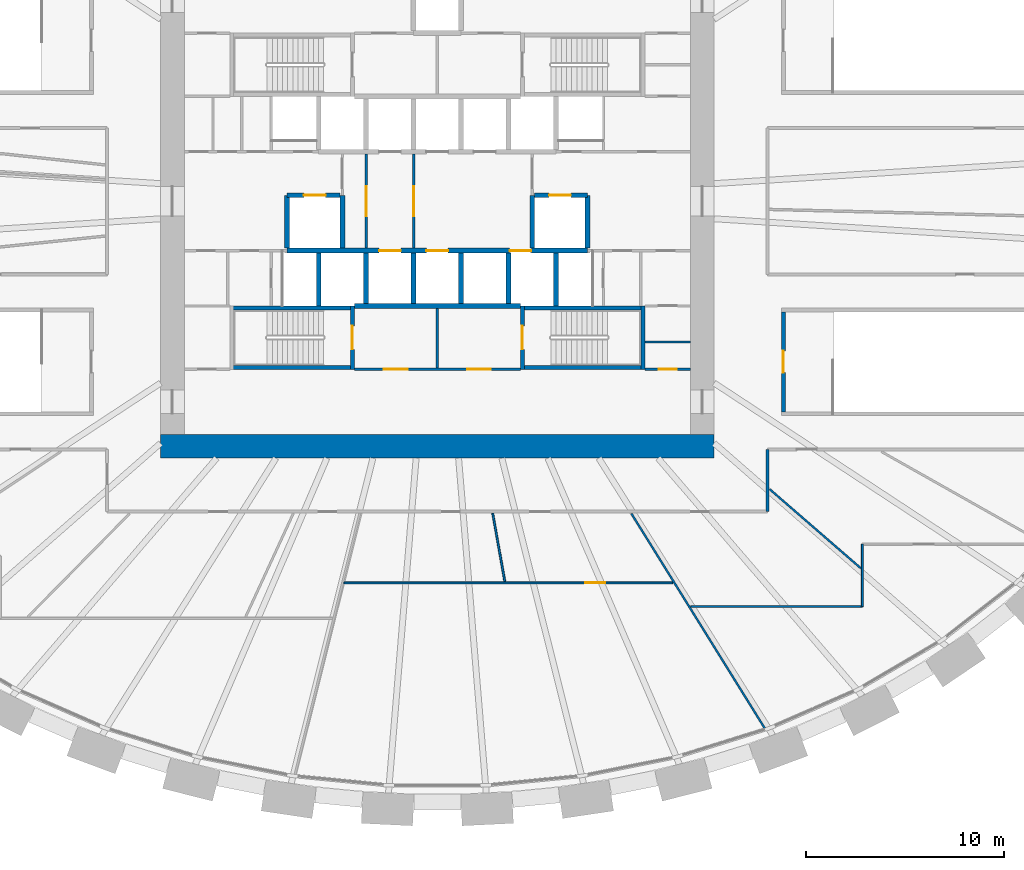
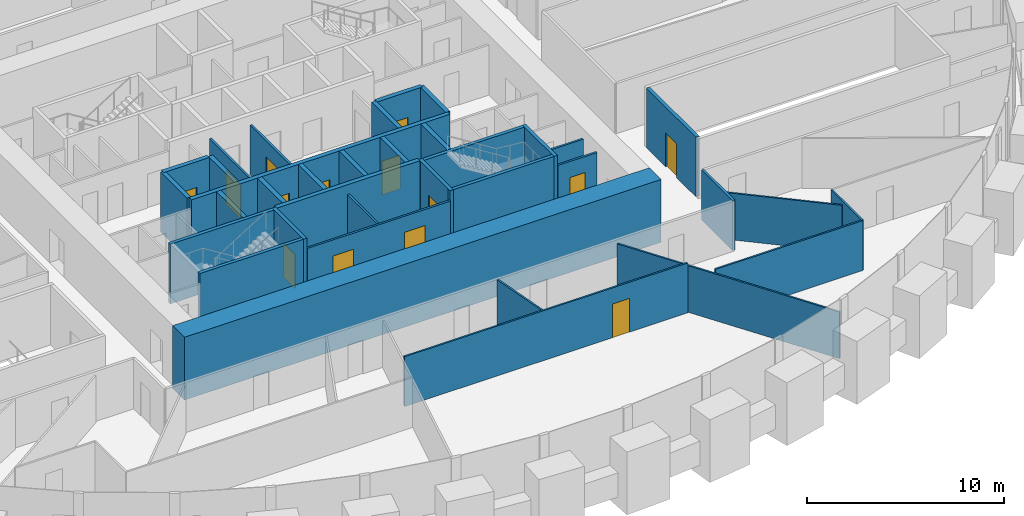
# One storey, part 7 of 12: 36 walls, 14 doors, 14 openings.
"""IFC4 building model written with IfcOpenShell, lengths in metres."""

from ifc_helpers import new_model, si_unit, direction, frame, frame_2d, origin, place, context, subcontext, project, spatial, rectangle, extrude, source, transform, mapped, material, layer, layer_set, type_object, element, fill, save


model = new_model("IFC4")

# Units and contexts
model_context = context("Model", 3, precision=1e-05, world=origin(), true_north=direction((0.0, 1.0)))
body_context = subcontext(model_context, "Body", "Model", "MODEL_VIEW")
ifc_project = project(units=[si_unit("LENGTHUNIT", "METRE"), si_unit("AREAUNIT", "SQUARE_METRE"), si_unit("VOLUMEUNIT", "CUBIC_METRE"), si_unit("PLANEANGLEUNIT", "RADIAN"), si_unit("MASSUNIT", "GRAM", prefix="KILO")], contexts=[model_context])

# Site, building, storey
site_placement = place(None, origin())
site = spatial("IfcSite", under=ifc_project, at=site_placement, CompositionType="ELEMENT")
building_placement = place(site_placement, origin())
building = spatial("IfcBuilding", under=site, at=building_placement, Name="Embergate Tower", CompositionType="ELEMENT")
storey_placement = place(building_placement, frame((0.0, 0.0, 38.0)))
storey = spatial("IfcBuildingStorey", under=building, at=storey_placement, Name="L05", CompositionType="ELEMENT", Elevation=38.0)

# Walls
ifc_material_1 = material(Name="Concrete C80", Category="concrete")
ifc_layer_1 = layer(ifc_material_1, 1.199951171875)
ifc_layer_set_1 = layer_set([ifc_layer_1], Name="Concrete C80")
wall_type_1 = type_object("IfcWallType", Name="Core outer wall C80 1200", PredefinedType="SHEAR", material=ifc_layer_set_1)
shared_shape_1 = source(origin(), body_context, "Body", "SweptSolid", [
    extrude(rectangle(XDim=28.0, YDim=1.199951171875, at=frame_2d((14.0, 0.0))), origin(), (0.0, 0.0, 1.0), 3.89990234375),
])
wall_1_placement = place(storey_placement, frame((-14.0, -12.39990234375, -0.199951171875), z_axis=(0.0, 0.0, 1.0), x_axis=(1.0, 0.0, 0.0)))
element("IfcWall", 1, at=wall_1_placement, inside=storey, type_object=wall_type_1, Name="CW-L05-S", PredefinedType="SHEAR", context=body_context, shape_type="MappedRepresentation", body=[
    mapped(shared_shape_1, transform((0.0, 0.0, 0.0))),
])
ifc_material_2 = material(Name="Corridor wall dry-lined 150")
ifc_layer_2 = layer(ifc_material_2, 0.14990234375)
ifc_layer_set_2 = layer_set([ifc_layer_2], Name="Corridor wall dry-lined 150")
wall_type_2 = type_object("IfcWallType", Name="Corridor wall dry-lined 150", PredefinedType="PARTITIONING", material=ifc_layer_set_2)
shared_shape_2 = source(origin(), body_context, "Body", "SweptSolid", [
    extrude(rectangle(XDim=3.14990234375, YDim=0.14990234375, at=frame_2d((1.574951171875, 0.0))), origin(), (0.0, 0.0, 1.0), 3.10009765625),
])
wall_2_placement = place(storey_placement, frame((16.699951171875, -12.550048828125, 0.0), z_axis=(0.0, 0.0, 1.0), x_axis=(0.0, -1.0, 0.0)))
element("IfcWall", 2, at=wall_2_placement, inside=storey, type_object=wall_type_2, Name="IP-2 wall", PredefinedType="PARTITIONING", context=body_context, shape_type="MappedRepresentation", body=[
    mapped(shared_shape_2, transform((0.0, 0.0, 0.0))),
])
ifc_material_3 = material(Name="Partition dry-lined 100")
ifc_layer_3 = layer(ifc_material_3, 0.10009765625)
ifc_layer_set_3 = layer_set([ifc_layer_3], Name="Partition dry-lined 100")
wall_type_3 = type_object("IfcWallType", Name="Partition dry-lined 100", PredefinedType="PARTITIONING", material=ifc_layer_set_3)
shared_shape_3 = source(origin(), body_context, "Body", "SweptSolid", [
    extrude(rectangle(XDim=3.510986328125, YDim=0.10009765625, at=frame_2d((1.75537109375, 0.0))), origin(), (0.0, 0.0, 1.0), 3.10009765625),
])
wall_3_placement = place(storey_placement, frame((2.799072265625, -15.783935546875, 0.0), z_axis=(0.0, 0.0, 1.0), x_axis=(0.174606412115, -0.984638309659, 0.0)))
element("IfcWall", 3, at=wall_3_placement, inside=storey, type_object=wall_type_3, Name="IP-1 wall", PredefinedType="PARTITIONING", context=body_context, shape_type="MappedRepresentation", body=[
    mapped(shared_shape_3, transform((0.0, 0.0, 0.0))),
])

# Wall, opening, door
shared_shape_4 = source(origin(), body_context, "Body", "SweptSolid", [
    extrude(rectangle(XDim=16.6259765625, YDim=0.10009765625, at=frame_2d((8.31298828125, 0.0))), origin(), (0.0, 0.0, 1.0), 3.10009765625),
])
wall_4_placement = place(storey_placement, frame((11.89697265625, -19.300048828125, 0.0), z_axis=(0.0, 0.0, 1.0), x_axis=(-1.0, 0.0, 0.0)))
wall_4 = element("IfcWall", 4, at=wall_4_placement, inside=storey, type_object=wall_type_3, Name="IP-1 wall", PredefinedType="PARTITIONING", context=body_context, shape_type="MappedRepresentation", body=[
    mapped(shared_shape_4, transform((0.0, 0.0, 0.0))),
])
shared_shape_5 = source(origin(), body_context, "Body", "SweptSolid", [
    extrude(rectangle(XDim=1.0, YDim=2.10009765625, at=frame_2d((0.5, 1.050048828125))), frame((0.0, 0.06005859375, 0.0), z_axis=(0.0, -1.0, 0.0), x_axis=(1.0, 0.0, 0.0)), (0.0, 0.0, 1.0), 0.1201171875),
])
opening_1_placement = place(wall_4_placement, frame((3.4140625, 0.0, 0.0)))
opening_1 = element("IfcOpeningElement", 5, at=opening_1_placement, cuts=wall_4, Name="Opening ID-2", PredefinedType="OPENING", context=body_context, shape_type="MappedRepresentation", body=[
    mapped(shared_shape_5, transform((0.0, 0.0, 0.0))),
])
ifc_material_4 = material(Name="Interior door 1000")
door_type_1 = type_object("IfcDoorType", Name="Interior door 1000", OperationType="SINGLE_SWING_LEFT", PredefinedType="DOOR", material=ifc_material_4)
shared_shape_6 = source(origin(), body_context, "Body", "SweptSolid", [
    extrude(rectangle(XDim=1.0, YDim=2.10009765625, at=frame_2d((0.5, 1.050048828125))), frame((0.0, 0.02490234375, 0.0), z_axis=(0.0, -1.0, 0.0), x_axis=(1.0, 0.0, 0.0)), (0.0, 0.0, 1.0), 0.050048828125),
])
door_1_placement = place(opening_1_placement, origin())
door_1 = element("IfcDoor", 6, at=door_1_placement, inside=storey, type_object=door_type_1, Name="ID-2 door", OperationType="SINGLE_SWING_LEFT", OverallHeight=2.10009765625, OverallWidth=1.0, PredefinedType="DOOR", context=body_context, shape_type="MappedRepresentation", body=[
    mapped(shared_shape_6, transform((0.0, 0.0, 0.0))),
])
fill(opening_1, door_1)

# Walls
shared_shape_7 = source(origin(), body_context, "Body", "SweptSolid", [
    extrude(rectangle(XDim=12.84423828125, YDim=0.10009765625, at=frame_2d((6.422119140625, 0.0))), origin(), (0.0, 0.0, 1.0), 2.89990234375),
])
wall_5_placement = place(storey_placement, frame((9.81396484375, -15.801025390625, 0.0), z_axis=(0.0, 0.0, 1.0), x_axis=(0.527633951218, -0.849471843866, 0.0)))
element("IfcWall", 7, at=wall_5_placement, inside=storey, type_object=wall_type_3, Name="IP-1 wall", PredefinedType="PARTITIONING", context=body_context, shape_type="MappedRepresentation", body=[
    mapped(shared_shape_7, transform((0.0, 0.0, 0.0))),
])
shared_shape_8 = source(origin(), body_context, "Body", "SweptSolid", [
    extrude(rectangle(XDim=6.099853515625, YDim=0.10009765625, at=frame_2d((3.0498046875, 0.0))), origin(), (0.0, 0.0, 1.0), 2.89990234375),
])
wall_6_placement = place(storey_placement, frame((16.80810546875, -14.568115234375, 0.0), z_axis=(0.0, 0.0, 1.0), x_axis=(0.755568897149, -0.655069188454, 0.0)))
element("IfcWall", 8, at=wall_6_placement, inside=storey, type_object=wall_type_3, Name="IP-1 wall", PredefinedType="PARTITIONING", context=body_context, shape_type="MappedRepresentation", body=[
    mapped(shared_shape_8, transform((0.0, 0.0, 0.0))),
])
shared_shape_9 = source(origin(), body_context, "Body", "SweptSolid", [
    extrude(rectangle(XDim=3.14990234375, YDim=0.10009765625, at=frame_2d((1.574951171875, 0.0))), origin(), (0.0, 0.0, 1.0), 3.10009765625),
])
wall_7_placement = place(storey_placement, frame((21.5, -17.35009765625, 0.0), z_axis=(0.0, 0.0, 1.0), x_axis=(0.0, -1.0, 0.0)))
element("IfcWall", 9, at=wall_7_placement, inside=storey, type_object=wall_type_3, Name="IP-1 wall", PredefinedType="PARTITIONING", context=body_context, shape_type="MappedRepresentation", body=[
    mapped(shared_shape_9, transform((0.0, 0.0, 0.0))),
])
shared_shape_10 = source(origin(), body_context, "Body", "SweptSolid", [
    extrude(rectangle(XDim=8.677978515625, YDim=0.10009765625, at=frame_2d((4.3388671875, 0.0))), origin(), (0.0, 0.0, 1.0), 3.10009765625),
])
wall_8_placement = place(storey_placement, frame((21.5, -20.5, 0.0), z_axis=(0.0, 0.0, 1.0), x_axis=(-1.0, 0.0, 0.0)))
element("IfcWall", 10, at=wall_8_placement, inside=storey, type_object=wall_type_3, Name="IP-1 wall", PredefinedType="PARTITIONING", context=body_context, shape_type="MappedRepresentation", body=[
    mapped(shared_shape_10, transform((0.0, 0.0, 0.0))),
])
ifc_material_5 = material(Name="Concrete C50", Category="concrete")
ifc_layer_4 = layer(ifc_material_5, 0.25)
ifc_layer_set_4 = layer_set([ifc_layer_4], Name="Concrete C50")
wall_type_4 = type_object("IfcWallType", Name="Hoistway wall reinforced concrete 250", PredefinedType="SHEAR", material=ifc_layer_set_4)
shared_shape_11 = source(origin(), body_context, "Body", "SweptSolid", [
    extrude(rectangle(XDim=2.675048828125, YDim=0.25, at=frame_2d((1.33740234375, 0.0))), origin(), (0.0, 0.0, 1.0), 3.699951171875),
])
for number, where, z_axis, x_axis, name in (
    (11, (-6.0, -5.300048828125, 0.0), (0.0, 0.0, 1.0), (0.0, 1.0, 0.0), "HW-1 wall"),
    (12, (6.0, -5.300048828125, 0.0), (0.0, 0.0, 1.0), (0.0, 1.0, 0.0), "HW-1 wall"),
    (13, (-4.800048828125, 0.300048828125, 0.0), (0.0, 0.0, 1.0), (0.0, -1.0, 0.0), "HW-1 wall"),
    (14, (4.800048828125, -2.375, 0.0), (0.0, 0.0, 1.0), (0.0, 1.0, 0.0), "HW-1 wall"),
):
    element("IfcWall", number, at=place(storey_placement, frame(where, z_axis=z_axis, x_axis=x_axis)), inside=storey, type_object=wall_type_4, Name=name, PredefinedType="SHEAR", context=body_context, shape_type="MappedRepresentation", body=[
        mapped(shared_shape_11, transform((0.0, 0.0, 0.0))),
    ])

# Wall, opening, door
wall_9_placement = place(storey_placement, frame((-4.925048828125, 0.300048828125, 0.0), z_axis=(0.0, 0.0, 1.0), x_axis=(-1.0, 0.0, 0.0)))
wall_9 = element("IfcWall", 15, at=wall_9_placement, inside=storey, type_object=wall_type_4, Name="HW-1 wall", PredefinedType="SHEAR", context=body_context, shape_type="MappedRepresentation", body=[
    mapped(shared_shape_11, transform((0.0, 0.0, 0.0))),
])
shared_shape_12 = source(origin(), body_context, "Body", "SweptSolid", [
    extrude(rectangle(XDim=1.10009765625, YDim=2.10009765625, at=frame_2d((0.550048828125, 1.050048828125))), frame((0.0, 0.135009765625, 0.0), z_axis=(0.0, -1.0, 0.0), x_axis=(1.0, 0.0, 0.0)), (0.0, 0.0, 1.0), 0.27001953125),
])
opening_2_placement = place(wall_9_placement, frame((0.72509765625, 0.0, 0.0)))
opening_2 = element("IfcOpeningElement", 16, at=opening_2_placement, cuts=wall_9, Name="Opening LD", PredefinedType="OPENING", context=body_context, shape_type="MappedRepresentation", body=[
    mapped(shared_shape_12, transform((0.0, 0.0, 0.0))),
])
ifc_material_6 = material(Name="Landing door sliding 1100")
door_type_2 = type_object("IfcDoorType", Name="Landing door sliding 1100", OperationType="SLIDING_TO_LEFT", PredefinedType="DOOR", material=ifc_material_6)
shared_shape_13 = source(origin(), body_context, "Body", "SweptSolid", [
    extrude(rectangle(XDim=1.10009765625, YDim=2.10009765625, at=frame_2d((0.550048828125, 1.050048828125))), frame((0.0, 0.02490234375, 0.0), z_axis=(0.0, -1.0, 0.0), x_axis=(1.0, 0.0, 0.0)), (0.0, 0.0, 1.0), 0.050048828125),
])
door_2_placement = place(opening_2_placement, origin())
door_2 = element("IfcDoor", 17, at=door_2_placement, inside=storey, type_object=door_type_2, Name="LD door", OperationType="SLIDING_TO_LEFT", OverallHeight=2.10009765625, OverallWidth=1.10009765625, PredefinedType="DOOR", context=body_context, shape_type="MappedRepresentation", body=[
    mapped(shared_shape_13, transform((0.0, 0.0, 0.0))),
])
fill(opening_2, door_2)

# Wall
wall_10_placement = place(storey_placement, frame((-7.60009765625, 0.300048828125, 0.0), z_axis=(0.0, 0.0, 1.0), x_axis=(0.0, -1.0, 0.0)))
element("IfcWall", 18, at=wall_10_placement, inside=storey, type_object=wall_type_4, Name="HW-1 wall", PredefinedType="SHEAR", context=body_context, shape_type="MappedRepresentation", body=[
    mapped(shared_shape_11, transform((0.0, 0.0, 0.0))),
])

# Wall, opening, door
wall_11_placement = place(storey_placement, frame((7.60009765625, 0.300048828125, 0.0), z_axis=(0.0, 0.0, 1.0), x_axis=(-1.0, 0.0, 0.0)))
wall_11 = element("IfcWall", 19, at=wall_11_placement, inside=storey, type_object=wall_type_4, Name="HW-1 wall", PredefinedType="SHEAR", context=body_context, shape_type="MappedRepresentation", body=[
    mapped(shared_shape_11, transform((0.0, 0.0, 0.0))),
])
opening_3_placement = place(wall_11_placement, frame((0.85009765625, 0.0, 0.0)))
opening_3 = element("IfcOpeningElement", 20, at=opening_3_placement, cuts=wall_11, Name="Opening LD", PredefinedType="OPENING", context=body_context, shape_type="MappedRepresentation", body=[
    mapped(shared_shape_12, transform((0.0, 0.0, 0.0))),
])
door_3_placement = place(opening_3_placement, origin())
door_3 = element("IfcDoor", 21, at=door_3_placement, inside=storey, type_object=door_type_2, Name="LD door", OperationType="SLIDING_TO_LEFT", OverallHeight=2.10009765625, OverallWidth=1.10009765625, PredefinedType="DOOR", context=body_context, shape_type="MappedRepresentation", body=[
    mapped(shared_shape_13, transform((0.0, 0.0, 0.0))),
])
fill(opening_3, door_3)

# Walls
wall_12_placement = place(storey_placement, frame((7.60009765625, -2.375, 0.0), z_axis=(0.0, 0.0, 1.0), x_axis=(0.0, 1.0, 0.0)))
element("IfcWall", 22, at=wall_12_placement, inside=storey, type_object=wall_type_4, Name="HW-1 wall", PredefinedType="SHEAR", context=body_context, shape_type="MappedRepresentation", body=[
    mapped(shared_shape_11, transform((0.0, 0.0, 0.0))),
])
ifc_layer_5 = layer(ifc_material_5, 0.199951171875)
ifc_layer_set_5 = layer_set([ifc_layer_5], Name="Concrete C50")
wall_type_5 = type_object("IfcWallType", Name="Stair enclosure wall reinforced concrete 250", PredefinedType="SHEAR", material=ifc_layer_set_5)
shared_shape_14 = source(origin(), body_context, "Body", "SweptSolid", [
    extrude(rectangle(XDim=6.300048828125, YDim=0.199951171875, at=frame_2d((3.14990234375, 0.0))), origin(), (0.0, 0.0, 1.0), 3.699951171875),
])
for number, where, z_axis, x_axis, name in (
    (23, (-10.5, -5.39990234375, 0.0), (0.0, 0.0, 1.0), (1.0, 0.0, 0.0), "SE-1 wall"),
    (24, (4.199951171875, -5.39990234375, 0.0), (0.0, 0.0, 1.0), (1.0, 0.0, 0.0), "SE-1 wall"),
    (25, (-10.5, -8.39990234375, 0.0), (0.0, 0.0, 1.0), (1.0, 0.0, 0.0), "SE-1 wall"),
    (26, (4.199951171875, -8.39990234375, 0.0), (0.0, 0.0, 1.0), (1.0, 0.0, 0.0), "SE-1 wall"),
):
    element("IfcWall", number, at=place(storey_placement, frame(where, z_axis=z_axis, x_axis=x_axis)), inside=storey, type_object=wall_type_5, Name=name, PredefinedType="SHEAR", context=body_context, shape_type="MappedRepresentation", body=[
        mapped(shared_shape_14, transform((0.0, 0.0, 0.0))),
    ])
shared_shape_15 = source(origin(), body_context, "Body", "SweptSolid", [
    extrude(rectangle(XDim=2.550048828125, YDim=0.25, at=frame_2d((1.27490234375, 0.0))), origin(), (0.0, 0.0, 1.0), 3.699951171875),
])
for number, where, z_axis, x_axis, name in (
    (27, (-3.60009765625, -5.175048828125, 0.0), (0.0, 0.0, 1.0), (0.0, 1.0, 0.0), "HW-1 wall"),
    (28, (-1.199951171875, -5.175048828125, 0.0), (0.0, 0.0, 1.0), (0.0, 1.0, 0.0), "HW-1 wall"),
    (29, (1.199951171875, -5.175048828125, 0.0), (0.0, 0.0, 1.0), (0.0, 1.0, 0.0), "HW-1 wall"),
    (30, (3.60009765625, -5.175048828125, 0.0), (0.0, 0.0, 1.0), (0.0, 1.0, 0.0), "HW-1 wall"),
):
    element("IfcWall", number, at=place(storey_placement, frame(where, z_axis=z_axis, x_axis=x_axis)), inside=storey, type_object=wall_type_4, Name=name, PredefinedType="SHEAR", context=body_context, shape_type="MappedRepresentation", body=[
        mapped(shared_shape_15, transform((0.0, 0.0, 0.0))),
    ])
shared_shape_16 = source(origin(), body_context, "Body", "SweptSolid", [
    extrude(rectangle(XDim=8.39990234375, YDim=0.25, at=frame_2d((4.199951171875, 0.0))), origin(), (0.0, 0.0, 1.0), 3.699951171875),
])
wall_13_placement = place(storey_placement, frame((-4.199951171875, -5.300048828125, 0.0), z_axis=(0.0, 0.0, 1.0), x_axis=(1.0, 0.0, 0.0)))
element("IfcWall", 31, at=wall_13_placement, inside=storey, type_object=wall_type_4, Name="HW-1 wall", PredefinedType="SHEAR", context=body_context, shape_type="MappedRepresentation", body=[
    mapped(shared_shape_16, transform((0.0, 0.0, 0.0))),
])

# Wall, openings, doors
shared_shape_17 = source(origin(), body_context, "Body", "SweptSolid", [
    extrude(rectangle(XDim=15.2001953125, YDim=0.25, at=frame_2d((7.60009765625, 0.0))), origin(), (0.0, 0.0, 1.0), 3.699951171875),
])
wall_14_placement = place(storey_placement, frame((7.60009765625, -2.5, 0.0), z_axis=(0.0, 0.0, 1.0), x_axis=(-1.0, 0.0, 0.0)))
wall_14 = element("IfcWall", 32, at=wall_14_placement, inside=storey, type_object=wall_type_4, Name="HW-1 wall", PredefinedType="SHEAR", context=body_context, shape_type="MappedRepresentation", body=[
    mapped(shared_shape_17, transform((0.0, 0.0, 0.0))),
])
opening_4_placement = place(wall_14_placement, frame((9.449951171875, 0.0, 0.0)))
opening_4 = element("IfcOpeningElement", 33, at=opening_4_placement, cuts=wall_14, Name="Opening LD", PredefinedType="OPENING", context=body_context, shape_type="MappedRepresentation", body=[
    mapped(shared_shape_12, transform((0.0, 0.0, 0.0))),
])
opening_5_placement = place(wall_14_placement, frame((7.050048828125, 0.0, 0.0)))
opening_5 = element("IfcOpeningElement", 34, at=opening_5_placement, cuts=wall_14, Name="Opening LD", PredefinedType="OPENING", context=body_context, shape_type="MappedRepresentation", body=[
    mapped(shared_shape_12, transform((0.0, 0.0, 0.0))),
])
opening_6_placement = place(wall_14_placement, frame((2.85009765625, 0.0, 0.0)))
opening_6 = element("IfcOpeningElement", 35, at=opening_6_placement, cuts=wall_14, Name="Opening LD", PredefinedType="OPENING", context=body_context, shape_type="MappedRepresentation", body=[
    mapped(shared_shape_12, transform((0.0, 0.0, 0.0))),
])
door_4_placement = place(opening_4_placement, origin())
door_4 = element("IfcDoor", 36, at=door_4_placement, inside=storey, type_object=door_type_2, Name="LD door", OperationType="SLIDING_TO_RIGHT", OverallHeight=2.10009765625, OverallWidth=1.10009765625, PredefinedType="DOOR", context=body_context, shape_type="MappedRepresentation", body=[
    mapped(shared_shape_13, transform((0.0, 0.0, 0.0))),
])
fill(opening_4, door_4)
door_5_placement = place(opening_5_placement, origin())
door_5 = element("IfcDoor", 37, at=door_5_placement, inside=storey, type_object=door_type_2, Name="LD door", OperationType="SLIDING_TO_LEFT", OverallHeight=2.10009765625, OverallWidth=1.10009765625, PredefinedType="DOOR", context=body_context, shape_type="MappedRepresentation", body=[
    mapped(shared_shape_13, transform((0.0, 0.0, 0.0))),
])
fill(opening_5, door_5)
door_6_placement = place(opening_6_placement, origin())
door_6 = element("IfcDoor", 38, at=door_6_placement, inside=storey, type_object=door_type_2, Name="LD door", OperationType="SLIDING_TO_LEFT", OverallHeight=2.10009765625, OverallWidth=1.10009765625, PredefinedType="DOOR", context=body_context, shape_type="MappedRepresentation", body=[
    mapped(shared_shape_13, transform((0.0, 0.0, 0.0))),
])
fill(opening_6, door_6)

# Wall, opening, door
ifc_material_7 = material(Name="Core partition blockwork 120")
ifc_layer_6 = layer(ifc_material_7, 0.1201171875)
ifc_layer_set_6 = layer_set([ifc_layer_6], Name="Core partition blockwork 120")
wall_type_6 = type_object("IfcWallType", Name="Core partition blockwork 120", PredefinedType="PARTITIONING", material=ifc_layer_set_6)
shared_shape_18 = source(origin(), body_context, "Body", "SweptSolid", [
    extrude(rectangle(XDim=4.75, YDim=0.1201171875, at=frame_2d((2.375, 0.0))), origin(), (0.0, 0.0, 1.0), 3.10009765625),
])
wall_15_placement = place(storey_placement, frame((-3.60009765625, -2.375, 0.0), z_axis=(0.0, 0.0, 1.0), x_axis=(0.0, 1.0, 0.0)))
wall_15 = element("IfcWall", 39, at=wall_15_placement, inside=storey, type_object=wall_type_6, Name="IP-3 wall", PredefinedType="PARTITIONING", context=body_context, shape_type="MappedRepresentation", body=[
    mapped(shared_shape_18, transform((0.0, 0.0, 0.0))),
])
shared_shape_19 = source(origin(), body_context, "Body", "SweptSolid", [
    extrude(rectangle(XDim=1.5, YDim=2.10009765625, at=frame_2d((0.75, 1.050048828125))), frame((0.0, 0.070068359375, 0.0), z_axis=(0.0, -1.0, 0.0), x_axis=(1.0, 0.0, 0.0)), (0.0, 0.0, 1.0), 0.14013671875),
])
opening_7_placement = place(wall_15_placement, frame((1.625, 0.0, 0.0)))
opening_7 = element("IfcOpeningElement", 40, at=opening_7_placement, cuts=wall_15, Name="Opening IF-3", PredefinedType="OPENING", context=body_context, shape_type="MappedRepresentation", body=[
    mapped(shared_shape_19, transform((0.0, 0.0, 0.0))),
])
ifc_material_8 = material(Name="Lobby fire door pair 1500")
door_type_3 = type_object("IfcDoorType", Name="Lobby fire door pair 1500", OperationType="DOUBLE_DOOR_SINGLE_SWING", PredefinedType="DOOR", material=ifc_material_8)
shared_shape_20 = source(origin(), body_context, "Body", "SweptSolid", [
    extrude(rectangle(XDim=1.5, YDim=2.10009765625, at=frame_2d((0.75, 1.050048828125))), frame((0.0, 0.02490234375, 0.0), z_axis=(0.0, -1.0, 0.0), x_axis=(1.0, 0.0, 0.0)), (0.0, 0.0, 1.0), 0.050048828125),
])
door_7_placement = place(opening_7_placement, origin())
door_7 = element("IfcDoor", 41, at=door_7_placement, inside=storey, type_object=door_type_3, Name="IF-3 door", OperationType="DOUBLE_DOOR_SINGLE_SWING", OverallHeight=2.10009765625, OverallWidth=1.5, PredefinedType="DOOR", context=body_context, shape_type="MappedRepresentation", body=[
    mapped(shared_shape_20, transform((0.0, 0.0, 0.0))),
])
fill(opening_7, door_7)

wall_16_placement = place(storey_placement, frame((-1.199951171875, -2.375, 0.0), z_axis=(0.0, 0.0, 1.0), x_axis=(0.0, 1.0, 0.0)))
wall_16 = element("IfcWall", 42, at=wall_16_placement, inside=storey, type_object=wall_type_6, Name="IP-3 wall", PredefinedType="PARTITIONING", context=body_context, shape_type="MappedRepresentation", body=[
    mapped(shared_shape_18, transform((0.0, 0.0, 0.0))),
])
opening_8_placement = place(wall_16_placement, frame((1.625, 0.0, 0.0)))
opening_8 = element("IfcOpeningElement", 43, at=opening_8_placement, cuts=wall_16, Name="Opening IF-3", PredefinedType="OPENING", context=body_context, shape_type="MappedRepresentation", body=[
    mapped(shared_shape_19, transform((0.0, 0.0, 0.0))),
])
door_8_placement = place(opening_8_placement, origin())
door_8 = element("IfcDoor", 44, at=door_8_placement, inside=storey, type_object=door_type_3, Name="IF-3 door", OperationType="DOUBLE_DOOR_SINGLE_SWING", OverallHeight=2.10009765625, OverallWidth=1.5, PredefinedType="DOOR", context=body_context, shape_type="MappedRepresentation", body=[
    mapped(shared_shape_20, transform((0.0, 0.0, 0.0))),
])
fill(opening_8, door_8)

shared_shape_21 = source(origin(), body_context, "Body", "SweptSolid", [
    extrude(rectangle(XDim=3.199951171875, YDim=0.199951171875, at=frame_2d((1.60009765625, 0.0))), origin(), (0.0, 0.0, 1.0), 3.699951171875),
])
wall_17_placement = place(storey_placement, frame((-4.300048828125, -8.5, 0.0), z_axis=(0.0, 0.0, 1.0), x_axis=(0.0, 1.0, 0.0)))
wall_17 = element("IfcWall", 45, at=wall_17_placement, inside=storey, type_object=wall_type_5, Name="SE-1 wall", PredefinedType="SHEAR", context=body_context, shape_type="MappedRepresentation", body=[
    mapped(shared_shape_21, transform((0.0, 0.0, 0.0))),
])
shared_shape_22 = source(origin(), body_context, "Body", "SweptSolid", [
    extrude(rectangle(XDim=1.199951171875, YDim=2.10009765625, at=frame_2d((0.60009765625, 1.050048828125))), frame((0.0, 0.10986328125, 0.0), z_axis=(0.0, -1.0, 0.0), x_axis=(1.0, 0.0, 0.0)), (0.0, 0.0, 1.0), 0.219970703125),
])
opening_9_placement = place(wall_17_placement, frame((1.0, 0.0, 0.0)))
opening_9 = element("IfcOpeningElement", 46, at=opening_9_placement, cuts=wall_17, Name="Opening IF-2", PredefinedType="OPENING", context=body_context, shape_type="MappedRepresentation", body=[
    mapped(shared_shape_22, transform((0.0, 0.0, 0.0))),
])
ifc_material_9 = material(Name="Stair enclosure door 1200")
door_type_4 = type_object("IfcDoorType", Name="Stair enclosure door 1200", OperationType="SINGLE_SWING_LEFT", PredefinedType="DOOR", material=ifc_material_9)
shared_shape_23 = source(origin(), body_context, "Body", "SweptSolid", [
    extrude(rectangle(XDim=1.199951171875, YDim=2.10009765625, at=frame_2d((0.60009765625, 1.050048828125))), frame((0.0, 0.02490234375, 0.0), z_axis=(0.0, -1.0, 0.0), x_axis=(1.0, 0.0, 0.0)), (0.0, 0.0, 1.0), 0.050048828125),
])
door_9_placement = place(opening_9_placement, origin())
door_9 = element("IfcDoor", 47, at=door_9_placement, inside=storey, type_object=door_type_4, Name="IF-2 door", OperationType="SINGLE_SWING_LEFT", OverallHeight=2.10009765625, OverallWidth=1.199951171875, PredefinedType="DOOR", context=body_context, shape_type="MappedRepresentation", body=[
    mapped(shared_shape_23, transform((0.0, 0.0, 0.0))),
])
fill(opening_9, door_9)

wall_18_placement = place(storey_placement, frame((4.300048828125, -5.300048828125, 0.0), z_axis=(0.0, 0.0, 1.0), x_axis=(0.0, -1.0, 0.0)))
wall_18 = element("IfcWall", 48, at=wall_18_placement, inside=storey, type_object=wall_type_5, Name="SE-1 wall", PredefinedType="SHEAR", context=body_context, shape_type="MappedRepresentation", body=[
    mapped(shared_shape_21, transform((0.0, 0.0, 0.0))),
])
opening_10_placement = place(wall_18_placement, frame((1.0, 0.0, 0.0)))
opening_10 = element("IfcOpeningElement", 49, at=opening_10_placement, cuts=wall_18, Name="Opening IF-2", PredefinedType="OPENING", context=body_context, shape_type="MappedRepresentation", body=[
    mapped(shared_shape_22, transform((0.0, 0.0, 0.0))),
])
door_10_placement = place(opening_10_placement, origin())
door_10 = element("IfcDoor", 50, at=door_10_placement, inside=storey, type_object=door_type_4, Name="IF-2 door", OperationType="SINGLE_SWING_RIGHT", OverallHeight=2.10009765625, OverallWidth=1.199951171875, PredefinedType="DOOR", context=body_context, shape_type="MappedRepresentation", body=[
    mapped(shared_shape_23, transform((0.0, 0.0, 0.0))),
])
fill(opening_10, door_10)

# Walls
wall_19_placement = place(storey_placement, frame((10.39990234375, -8.5, 0.0), z_axis=(0.0, 0.0, 1.0), x_axis=(0.0, 1.0, 0.0)))
element("IfcWall", 51, at=wall_19_placement, inside=storey, type_object=wall_type_5, Name="SE-1 wall", PredefinedType="SHEAR", context=body_context, shape_type="MappedRepresentation", body=[
    mapped(shared_shape_21, transform((0.0, 0.0, 0.0))),
])
shared_shape_24 = source(origin(), body_context, "Body", "SweptSolid", [
    extrude(rectangle(XDim=3.014892578125, YDim=0.1201171875, at=frame_2d((1.50732421875, 0.0))), origin(), (0.0, 0.0, 1.0), 3.10009765625),
])
wall_20_placement = place(storey_placement, frame((0.0, -8.43994140625, 0.0), z_axis=(0.0, 0.0, 1.0), x_axis=(0.0, 1.0, 0.0)))
element("IfcWall", 52, at=wall_20_placement, inside=storey, type_object=wall_type_6, Name="IP-3 wall", PredefinedType="PARTITIONING", context=body_context, shape_type="MappedRepresentation", body=[
    mapped(shared_shape_24, transform((0.0, 0.0, 0.0))),
])

# Wall, openings, doors
shared_shape_25 = source(origin(), body_context, "Body", "SweptSolid", [
    extrude(rectangle(XDim=8.39990234375, YDim=0.1201171875, at=frame_2d((4.199951171875, 0.0))), origin(), (0.0, 0.0, 1.0), 3.10009765625),
])
wall_21_placement = place(storey_placement, frame((-4.199951171875, -8.5, 0.0), z_axis=(0.0, 0.0, 1.0), x_axis=(1.0, 0.0, 0.0)))
wall_21 = element("IfcWall", 53, at=wall_21_placement, inside=storey, type_object=wall_type_6, Name="IP-3 wall", PredefinedType="PARTITIONING", context=body_context, shape_type="MappedRepresentation", body=[
    mapped(shared_shape_25, transform((0.0, 0.0, 0.0))),
])
shared_shape_26 = source(origin(), body_context, "Body", "SweptSolid", [
    extrude(rectangle(XDim=1.199951171875, YDim=2.10009765625, at=frame_2d((0.60009765625, 1.050048828125))), frame((0.0, 0.070068359375, 0.0), z_axis=(0.0, -1.0, 0.0), x_axis=(1.0, 0.0, 0.0)), (0.0, 0.0, 1.0), 0.14013671875),
])
opening_11_placement = place(wall_21_placement, frame((1.5, 0.0, 0.0)))
opening_11 = element("IfcOpeningElement", 54, at=opening_11_placement, cuts=wall_21, Name="Opening IF-3f", PredefinedType="OPENING", context=body_context, shape_type="MappedRepresentation", body=[
    mapped(shared_shape_26, transform((0.0, 0.0, 0.0))),
])
opening_12_placement = place(wall_21_placement, frame((5.699951171875, 0.0, 0.0)))
opening_12 = element("IfcOpeningElement", 55, at=opening_12_placement, cuts=wall_21, Name="Opening IF-3f", PredefinedType="OPENING", context=body_context, shape_type="MappedRepresentation", body=[
    mapped(shared_shape_26, transform((0.0, 0.0, 0.0))),
])
ifc_material_10 = material(Name="Lobby fire door pair 1200")
door_type_5 = type_object("IfcDoorType", Name="Lobby fire door pair 1200", OperationType="DOUBLE_DOOR_SINGLE_SWING", PredefinedType="DOOR", material=ifc_material_10)
door_11_placement = place(opening_11_placement, origin())
door_11 = element("IfcDoor", 56, at=door_11_placement, inside=storey, type_object=door_type_5, Name="IF-3 door", OperationType="DOUBLE_DOOR_SINGLE_SWING", OverallHeight=2.10009765625, OverallWidth=1.199951171875, PredefinedType="DOOR", context=body_context, shape_type="MappedRepresentation", body=[
    mapped(shared_shape_23, transform((0.0, 0.0, 0.0))),
])
fill(opening_11, door_11)
door_12_placement = place(opening_12_placement, origin())
door_12 = element("IfcDoor", 57, at=door_12_placement, inside=storey, type_object=door_type_5, Name="IF-3 door", OperationType="DOUBLE_DOOR_SINGLE_SWING", OverallHeight=2.10009765625, OverallWidth=1.199951171875, PredefinedType="DOOR", context=body_context, shape_type="MappedRepresentation", body=[
    mapped(shared_shape_23, transform((0.0, 0.0, 0.0))),
])
fill(opening_12, door_12)

# Wall, opening, door
shared_shape_27 = source(origin(), body_context, "Body", "SweptSolid", [
    extrude(rectangle(XDim=2.300048828125, YDim=0.1201171875, at=frame_2d((1.14990234375, 0.0))), origin(), (0.0, 0.0, 1.0), 3.10009765625),
])
wall_22_placement = place(storey_placement, frame((12.800048828125, -8.5, 0.0), z_axis=(0.0, 0.0, 1.0), x_axis=(-1.0, 0.0, 0.0)))
wall_22 = element("IfcWall", 58, at=wall_22_placement, inside=storey, type_object=wall_type_6, Name="IP-3 wall", PredefinedType="PARTITIONING", context=body_context, shape_type="MappedRepresentation", body=[
    mapped(shared_shape_27, transform((0.0, 0.0, 0.0))),
])
shared_shape_28 = source(origin(), body_context, "Body", "SweptSolid", [
    extrude(rectangle(XDim=0.89990234375, YDim=2.10009765625, at=frame_2d((0.449951171875, 1.050048828125))), frame((0.0, 0.070068359375, 0.0), z_axis=(0.0, -1.0, 0.0), x_axis=(1.0, 0.0, 0.0)), (0.0, 0.0, 1.0), 0.14013671875),
])
opening_13_placement = place(wall_22_placement, frame((0.699951171875, 0.0, 0.0)))
opening_13 = element("IfcOpeningElement", 59, at=opening_13_placement, cuts=wall_22, Name="Opening ID-1", PredefinedType="OPENING", context=body_context, shape_type="MappedRepresentation", body=[
    mapped(shared_shape_28, transform((0.0, 0.0, 0.0))),
])
ifc_material_11 = material(Name="Interior door 900")
door_type_6 = type_object("IfcDoorType", Name="Interior door 900", OperationType="SINGLE_SWING_LEFT", PredefinedType="DOOR", material=ifc_material_11)
shared_shape_29 = source(origin(), body_context, "Body", "SweptSolid", [
    extrude(rectangle(XDim=0.89990234375, YDim=2.10009765625, at=frame_2d((0.449951171875, 1.050048828125))), frame((0.0, 0.02490234375, 0.0), z_axis=(0.0, -1.0, 0.0), x_axis=(1.0, 0.0, 0.0)), (0.0, 0.0, 1.0), 0.050048828125),
])
door_13_placement = place(opening_13_placement, origin())
door_13 = element("IfcDoor", 60, at=door_13_placement, inside=storey, type_object=door_type_6, Name="ID-1 door", OperationType="SINGLE_SWING_LEFT", OverallHeight=2.10009765625, OverallWidth=0.89990234375, PredefinedType="DOOR", context=body_context, shape_type="MappedRepresentation", body=[
    mapped(shared_shape_29, transform((0.0, 0.0, 0.0))),
])
fill(opening_13, door_13)

# Wall
wall_23_placement = place(storey_placement, frame((12.800048828125, -7.1240234375, 0.0), z_axis=(0.0, 0.0, 1.0), x_axis=(-1.0, 0.0, 0.0)))
element("IfcWall", 61, at=wall_23_placement, inside=storey, type_object=wall_type_6, Name="IP-3 wall", PredefinedType="PARTITIONING", context=body_context, shape_type="MappedRepresentation", body=[
    mapped(shared_shape_27, transform((0.0, 0.0, 0.0))),
])

# Wall, opening, door
ifc_material_12 = material(Name="Concrete C40", Category="concrete")
ifc_layer_7 = layer(ifc_material_12, 0.199951171875)
ifc_layer_set_7 = layer_set([ifc_layer_7], Name="Concrete C40")
wall_type_7 = type_object("IfcWallType", Name="Stair enclosure wall RC 200", PredefinedType="STANDARD", material=ifc_layer_set_7)
shared_shape_30 = source(origin(), body_context, "Body", "SweptSolid", [
    extrude(rectangle(XDim=5.0498046875, YDim=0.199951171875, at=frame_2d((2.52490234375, 0.0))), origin(), (0.0, 0.0, 1.0), 3.699951171875),
])
wall_24_placement = place(storey_placement, frame((17.5, -10.64990234375, 0.0), z_axis=(0.0, 0.0, 1.0), x_axis=(0.0, 1.0, 0.0)))
wall_24 = element("IfcWall", 62, at=wall_24_placement, inside=storey, type_object=wall_type_7, Name="Stair wall 009", PredefinedType="STANDARD", context=body_context, shape_type="MappedRepresentation", body=[
    mapped(shared_shape_30, transform((0.0, 0.0, 0.0))),
])
shared_shape_31 = source(origin(), body_context, "Body", "SweptSolid", [
    extrude(rectangle(XDim=1.10009765625, YDim=2.10009765625, at=frame_2d((0.550048828125, 1.050048828125))), frame((0.0, 0.10986328125, 0.0), z_axis=(0.0, -1.0, 0.0), x_axis=(1.0, 0.0, 0.0)), (0.0, 0.0, 1.0), 0.219970703125),
])
opening_14_placement = place(wall_24_placement, frame((1.97509765625, 0.0, 0.0)))
opening_14 = element("IfcOpeningElement", 63, at=opening_14_placement, cuts=wall_24, Name="Opening DS-343", PredefinedType="OPENING", context=body_context, shape_type="MappedRepresentation", body=[
    mapped(shared_shape_31, transform((0.0, 0.0, 0.0))),
])
ifc_material_13 = material(Name="Steel fire door leaf", Category="steel")
door_type_7 = type_object("IfcDoorType", Name="Fire door class B 1100x2100", OperationType="SINGLE_SWING_LEFT", PredefinedType="DOOR", material=ifc_material_13)
shared_shape_32 = source(origin(), body_context, "Body", "SweptSolid", [
    extrude(rectangle(XDim=1.10009765625, YDim=2.10009765625, at=frame_2d((0.550048828125, 1.050048828125))), frame((0.0, 0.02490234375, 0.0), z_axis=(0.0, -1.0, 0.0), x_axis=(1.0, 0.0, 0.0)), (0.0, 0.0, 1.0), 0.050048828125),
])
door_14_placement = place(opening_14_placement, origin())
door_14 = element("IfcDoor", 64, at=door_14_placement, inside=storey, type_object=door_type_7, Name="Door to Exit stair enclosure", OperationType="SINGLE_SWING_LEFT", OverallHeight=2.10009765625, OverallWidth=1.10009765625, PredefinedType="DOOR", context=body_context, shape_type="MappedRepresentation", body=[
    mapped(shared_shape_32, transform((0.0, 0.0, 0.0))),
])
fill(opening_14, door_14)

save(model, "model.ifc")
